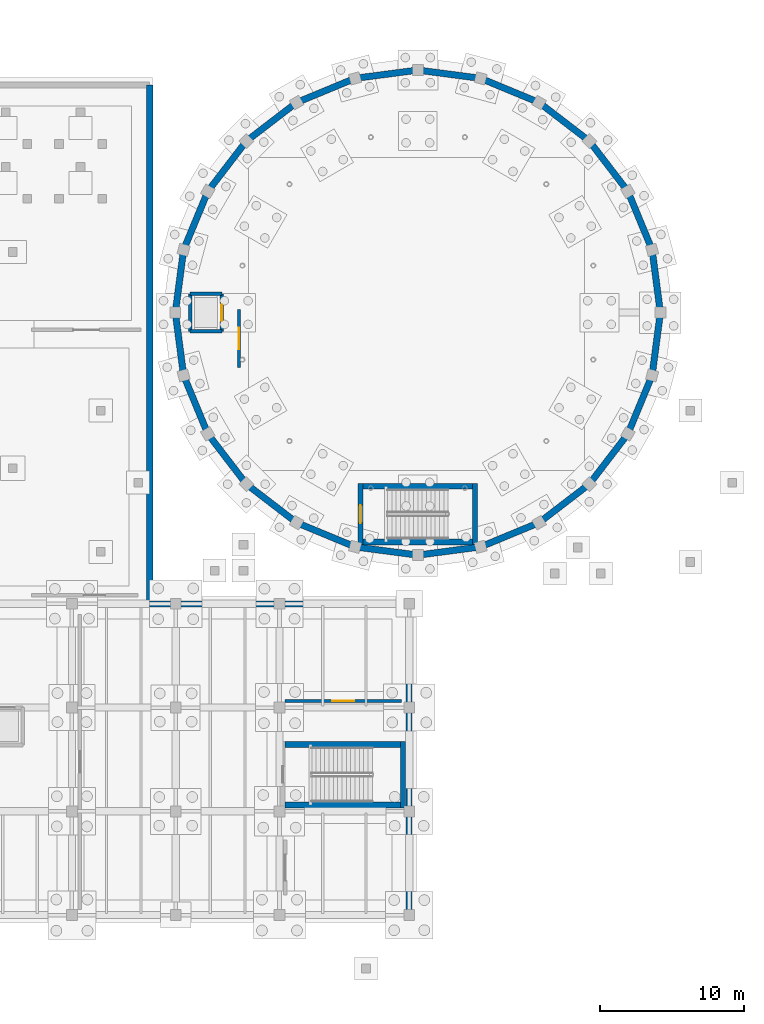
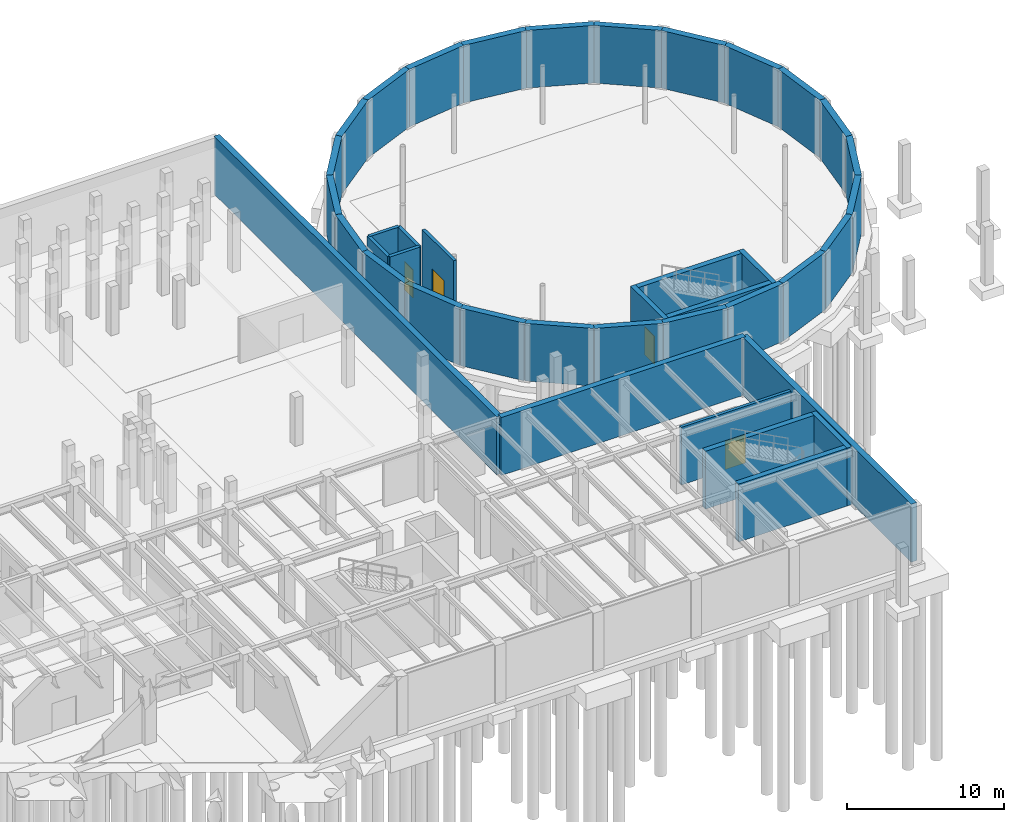
# One storey, part 16 of 26: 40 walls, 4 doors, 4 openings.
"""IFC4 building model written with IfcOpenShell, lengths in metres."""

from ifc_helpers import new_model, si_unit, direction, frame, frame_2d, origin, place, context, subcontext, project, spatial, rectangle, extrude, material, layer, layer_set, type_object, element, fill, save


model = new_model("IFC4")

# Units and contexts
model_context = context("Model", 3, precision=1e-05, world=origin(), true_north=direction((0.0, 1.0)))
body_context = subcontext(model_context, "Body", "Model", "MODEL_VIEW")
ifc_project = project(units=[si_unit("LENGTHUNIT", "METRE"), si_unit("AREAUNIT", "SQUARE_METRE"), si_unit("VOLUMEUNIT", "CUBIC_METRE"), si_unit("PLANEANGLEUNIT", "RADIAN"), si_unit("MASSUNIT", "GRAM", prefix="KILO")], contexts=[model_context])

# Site, building, storey
site_placement = place(None, origin())
site = spatial("IfcSite", under=ifc_project, at=site_placement, CompositionType="ELEMENT")
building_placement = place(site_placement, origin())
building = spatial("IfcBuilding", under=site, at=building_placement, Name="Kandorven Conservatory and Botanical Research Centre", CompositionType="ELEMENT")
storey_placement = place(building_placement, frame((0.0, 0.0, -4.800048828125)))
storey = spatial("IfcBuildingStorey", under=building, at=storey_placement, Name="B01", CompositionType="ELEMENT", Elevation=-4.800048828125)

# Walls
ifc_material_1 = material(Name="Concrete C40/50 (M50)", Category="concrete")
ifc_layer_1 = layer(ifc_material_1, 0.39990234375)
ifc_layer_set_1 = layer_set([ifc_layer_1], Name="Concrete C40/50 (M50)")
wall_type_1 = type_object("IfcWallType", Name="Wall_CW-RC-1", PredefinedType="SHEAR", material=ifc_layer_set_1)
for number, where, z_axis, x_axis, name in (
    (1, (78.39990234375, 13.64501953125, 0.0), (0.0, 0.0, 1.0), (1.0, 0.0, 0.0), "Core stair shear wall CW-RC-1 ST-V3B B01 side A"),
    (2, (78.39990234375, 17.844970703125, 0.0), (0.0, 0.0, 1.0), (1.0, 0.0, 0.0), "Core stair shear wall CW-RC-1 ST-V3B B01 side B"),
):
    element("IfcWall", number, at=place(storey_placement, frame(where, z_axis=z_axis, x_axis=x_axis)), inside=storey, type_object=wall_type_1, Name=name, PredefinedType="SHEAR", context=body_context, shape_type="SweptSolid", body=[
        extrude(rectangle(XDim=7.97998046875, YDim=0.39990234375, at=frame_2d((3.989990234375, 0.0))), origin(), (0.0, 0.0, 1.0), 4.5),
    ])
for number, where, z_axis, x_axis, name in (
    (3, (83.800048828125, 31.89501953125, 0.0), (0.0, 0.0, 1.0), (1.0, 0.0, 0.0), "Core stair shear wall CW-RC-1 ST-V1 B01 side A"),
    (4, (83.800048828125, 35.7548828125, 0.0), (0.0, 0.0, 1.0), (1.0, 0.0, 0.0), "Core stair shear wall CW-RC-1 ST-V1 B01 side B"),
):
    element("IfcWall", number, at=place(storey_placement, frame(where, z_axis=z_axis, x_axis=x_axis)), inside=storey, type_object=wall_type_1, Name=name, PredefinedType="SHEAR", context=body_context, shape_type="SweptSolid", body=[
        extrude(rectangle(XDim=7.599853515625, YDim=0.39990234375, at=frame_2d((3.7998046875, 0.0))), origin(), (0.0, 0.0, 1.0), 4.47998046875),
    ])
ifc_material_2 = material(Name="Concrete C40/50 (M50)", Category="concrete")
ifc_layer_2 = layer(ifc_material_2, 0.35009765625)
ifc_layer_set_2 = layer_set([ifc_layer_2], Name="Concrete C40/50 (M50)")
wall_type_2 = type_object("IfcWallType", Name="Wall_CW-RC-2", PredefinedType="SHEAR", material=ifc_layer_set_2)
wall_1_placement = place(storey_placement, frame((86.554931640625, 13.449951171875, 0.0), z_axis=(0.0, 0.0, 1.0), x_axis=(0.0, 1.0, 0.0)))
element("IfcWall", 5, at=wall_1_placement, inside=storey, type_object=wall_type_2, Name="Core stair shear wall CW-RC-2 ST-V3B B01 far", PredefinedType="SHEAR", context=body_context, shape_type="SweptSolid", body=[
    extrude(rectangle(XDim=4.590087890625, YDim=0.35009765625, at=frame_2d((2.294921875, 0.0))), origin(), (0.0, 0.0, 1.0), 4.5),
])

# Wall, opening, door
wall_2_placement = place(storey_placement, frame((83.625, 31.699951171875, 0.0), z_axis=(0.0, 0.0, 1.0), x_axis=(0.0, 1.0, 0.0)))
wall_2 = element("IfcWall", 6, at=wall_2_placement, inside=storey, type_object=wall_type_2, Name="Core stair shear wall CW-RC-2 ST-V1 B01 entry", PredefinedType="SHEAR", context=body_context, shape_type="SweptSolid", body=[
    extrude(rectangle(XDim=4.25, YDim=0.35009765625, at=frame_2d((2.125, 0.0))), origin(), (0.0, 0.0, 1.0), 4.47998046875),
])
opening_1_placement = place(wall_2_placement, frame((1.5, 0.0, 0.0)))
opening_1 = element("IfcOpeningElement", 7, at=opening_1_placement, cuts=wall_2, Name="Opening FD-1", PredefinedType="OPENING", context=body_context, shape_type="SweptSolid", body=[
    extrude(rectangle(XDim=1.25, YDim=2.199951171875, at=frame_2d((0.625, 1.10009765625))), frame((0.0, 0.18505859375, 0.0), z_axis=(0.0, -1.0, 0.0), x_axis=(1.0, 0.0, 0.0)), (0.0, 0.0, 1.0), 0.3701171875),
])
ifc_material_3 = material(Name="Galvanised hollow steel fire door assembly", Category="steel")
door_type_1 = type_object("IfcDoorType", Name="Door_FD-1", OperationType="NOTDEFINED", PredefinedType="DOOR", material=ifc_material_3)
door_1_placement = place(opening_1_placement, origin())
door_1 = element("IfcDoor", 8, at=door_1_placement, inside=storey, type_object=door_type_1, Name="Exit stair fire door FD-1 ST-V1 B01", OperationType="SINGLE_SWING_LEFT", OverallHeight=2.199951171875, OverallWidth=1.25, PredefinedType="DOOR", context=body_context, shape_type="SweptSolid", body=[
    extrude(rectangle(XDim=1.25, YDim=2.199951171875, at=frame_2d((0.625, 1.10009765625))), frame((0.0, 0.02490234375, 0.0), z_axis=(0.0, -1.0, 0.0), x_axis=(1.0, 0.0, 0.0)), (0.0, 0.0, 1.0), 0.050048828125),
])
fill(opening_1, door_1)

# Walls
wall_3_placement = place(storey_placement, frame((91.574951171875, 31.699951171875, 0.0), z_axis=(0.0, 0.0, 1.0), x_axis=(0.0, 1.0, 0.0)))
element("IfcWall", 9, at=wall_3_placement, inside=storey, type_object=wall_type_2, Name="Core stair shear wall CW-RC-2 ST-V1 B01 far", PredefinedType="SHEAR", context=body_context, shape_type="SweptSolid", body=[
    extrude(rectangle(XDim=4.25, YDim=0.35009765625, at=frame_2d((2.125, 0.0))), origin(), (0.0, 0.0, 1.0), 4.47998046875),
])
for number, where, z_axis, x_axis, name in (
    (10, (71.800048828125, 46.5, 0.0), (0.0, 0.0, 1.0), (1.0, 0.0, 0.0), "Lift shaft wall CL-1 B01 S"),
    (11, (71.800048828125, 49.10009765625, 0.0), (0.0, 0.0, 1.0), (1.0, 0.0, 0.0), "Lift shaft wall CL-1 B01 N"),
):
    element("IfcWall", number, at=place(storey_placement, frame(where, z_axis=z_axis, x_axis=x_axis)), inside=storey, type_object=wall_type_2, Name=name, PredefinedType="SHEAR", context=body_context, shape_type="SweptSolid", body=[
        extrude(rectangle(XDim=2.199951171875, YDim=0.25, at=frame_2d((1.10009765625, 0.0))), origin(), (0.0, 0.0, 1.0), 4.5),
    ])
wall_4_placement = place(storey_placement, frame((71.800048828125, 46.5, 0.0), z_axis=(0.0, 0.0, 1.0), x_axis=(0.0, 1.0, 0.0)))
element("IfcWall", 12, at=wall_4_placement, inside=storey, type_object=wall_type_2, Name="Lift shaft wall CL-1 B01 W", PredefinedType="SHEAR", context=body_context, shape_type="SweptSolid", body=[
    extrude(rectangle(XDim=2.60009765625, YDim=0.25, at=frame_2d((1.300048828125, 0.0))), origin(), (0.0, 0.0, 1.0), 4.5),
])

# Wall, opening, door
wall_5_placement = place(storey_placement, frame((74.0, 46.5, 0.0), z_axis=(0.0, 0.0, 1.0), x_axis=(0.0, 1.0, 0.0)))
wall_5 = element("IfcWall", 13, at=wall_5_placement, inside=storey, type_object=wall_type_2, Name="Lift shaft wall CL-1 B01 E", PredefinedType="SHEAR", context=body_context, shape_type="SweptSolid", body=[
    extrude(rectangle(XDim=2.60009765625, YDim=0.25, at=frame_2d((1.300048828125, 0.0))), origin(), (0.0, 0.0, 1.0), 4.5),
])
opening_2_placement = place(wall_5_placement, frame((0.75, 0.0, 0.0)))
opening_2 = element("IfcOpeningElement", 14, at=opening_2_placement, cuts=wall_5, Name="Opening LD-01", PredefinedType="OPENING", context=body_context, shape_type="SweptSolid", body=[
    extrude(rectangle(XDim=1.10009765625, YDim=2.199951171875, at=frame_2d((0.550048828125, 1.10009765625))), frame((0.0, 0.135009765625, 0.0), z_axis=(0.0, -1.0, 0.0), x_axis=(1.0, 0.0, 0.0)), (0.0, 0.0, 1.0), 0.27001953125),
])
ifc_material_4 = material(Name="Anodised aluminium sliding landing door", Category="aluminium")
door_type_2 = type_object("IfcDoorType", Name="Door_LD-01", OperationType="DOUBLE_DOOR_SLIDING", PredefinedType="DOOR", material=ifc_material_4)
door_2_placement = place(opening_2_placement, origin())
door_2 = element("IfcDoor", 15, at=door_2_placement, inside=storey, type_object=door_type_2, Name="Lift landing sliding door LD-01 (CL-1 B01)", OperationType="DOUBLE_DOOR_SLIDING", OverallHeight=2.199951171875, OverallWidth=1.10009765625, PredefinedType="DOOR", context=body_context, shape_type="SweptSolid", body=[
    extrude(rectangle(XDim=1.10009765625, YDim=2.199951171875, at=frame_2d((0.550048828125, 1.10009765625))), frame((0.0, 0.02490234375, 0.0), z_axis=(0.0, -1.0, 0.0), x_axis=(1.0, 0.0, 0.0)), (0.0, 0.0, 1.0), 0.050048828125),
])
fill(opening_2, door_2)

ifc_material_5 = material(Name="Concrete C32/40 (M40)", Category="concrete")
ifc_layer_3 = layer(ifc_material_5, 0.22509765625)
ifc_layer_set_3 = layer_set([ifc_layer_3], Name="Concrete C32/40 (M40)")
wall_type_3 = type_object("IfcWallType", Name="Wall_IW-FR-2", PredefinedType="SOLIDWALL", material=ifc_layer_set_3)
wall_6_placement = place(storey_placement, frame((78.39990234375, 20.85009765625, 0.0), z_axis=(0.0, 0.0, 1.0), x_axis=(1.0, 0.0, 0.0)))
wall_6 = element("IfcWall", 16, at=wall_6_placement, inside=storey, type_object=wall_type_3, Name="Interior fire partition wall IW-FR-2 (Botanical Field Equipment and Herbarium Crate Store)", PredefinedType="SOLIDWALL", context=body_context, shape_type="SweptSolid", body=[
    extrude(rectangle(XDim=8.050048828125, YDim=0.22509765625, at=frame_2d((4.02490234375, 0.0))), origin(), (0.0, 0.0, 1.0), 4.47998046875),
])
opening_3_placement = place(wall_6_placement, frame((3.27490234375, 0.0, 0.0)))
opening_3 = element("IfcOpeningElement", 17, at=opening_3_placement, cuts=wall_6, Name="Opening FD-3", PredefinedType="OPENING", context=body_context, shape_type="SweptSolid", body=[
    extrude(rectangle(XDim=1.5, YDim=2.199951171875, at=frame_2d((0.75, 1.10009765625))), frame((0.0, 0.12255859375, 0.0), z_axis=(0.0, -1.0, 0.0), x_axis=(1.0, 0.0, 0.0)), (0.0, 0.0, 1.0), 0.2451171875),
])
ifc_material_6 = material(Name="Galvanised hollow steel fire door assembly", Category="steel")
door_type_3 = type_object("IfcDoorType", Name="Door_FD-3", OperationType="NOTDEFINED", PredefinedType="DOOR", material=ifc_material_6)
door_3_placement = place(opening_3_placement, origin())
door_3 = element("IfcDoor", 18, at=door_3_placement, inside=storey, type_object=door_type_3, Name="Interior door FD-3 to Botanical Field Equipment and Herbarium Crate Store", OperationType="SINGLE_SWING_LEFT", OverallHeight=2.199951171875, OverallWidth=1.5, PredefinedType="DOOR", context=body_context, shape_type="SweptSolid", body=[
    extrude(rectangle(XDim=1.5, YDim=2.199951171875, at=frame_2d((0.75, 1.10009765625))), frame((0.0, 0.02490234375, 0.0), z_axis=(0.0, -1.0, 0.0), x_axis=(1.0, 0.0, 0.0)), (0.0, 0.0, 1.0), 0.050048828125),
])
fill(opening_3, door_3)

wall_7_placement = place(storey_placement, frame((75.199951171875, 44.0, 0.0), z_axis=(0.0, 0.0, 1.0), x_axis=(0.0, 1.0, 0.0)))
wall_7 = element("IfcWall", 19, at=wall_7_placement, inside=storey, type_object=wall_type_3, Name="Interior fire partition wall IW-FR-2 (Monsoon Rainwater Harvesting Cistern and Filtration Plant)", PredefinedType="SOLIDWALL", context=body_context, shape_type="SweptSolid", body=[
    extrude(rectangle(XDim=4.0, YDim=0.22509765625, at=frame_2d((2.0, 0.0))), origin(), (0.0, 0.0, 1.0), 4.47998046875),
])
opening_4_placement = place(wall_7_placement, frame((1.25, 0.0, 0.0)))
opening_4 = element("IfcOpeningElement", 20, at=opening_4_placement, cuts=wall_7, Name="Opening FD-3", PredefinedType="OPENING", context=body_context, shape_type="SweptSolid", body=[
    extrude(rectangle(XDim=1.5, YDim=2.199951171875, at=frame_2d((0.75, 1.10009765625))), frame((0.0, 0.12255859375, 0.0), z_axis=(0.0, -1.0, 0.0), x_axis=(1.0, 0.0, 0.0)), (0.0, 0.0, 1.0), 0.2451171875),
])
door_4_placement = place(opening_4_placement, origin())
door_4 = element("IfcDoor", 21, at=door_4_placement, inside=storey, type_object=door_type_3, Name="Interior door FD-3 to Monsoon Rainwater Harvesting Cistern and Filtration Plant", OperationType="SINGLE_SWING_LEFT", OverallHeight=2.199951171875, OverallWidth=1.5, PredefinedType="DOOR", context=body_context, shape_type="SweptSolid", body=[
    extrude(rectangle(XDim=1.5, YDim=2.199951171875, at=frame_2d((0.75, 1.10009765625))), frame((0.0, 0.02490234375, 0.0), z_axis=(0.0, -1.0, 0.0), x_axis=(1.0, 0.0, 0.0)), (0.0, 0.0, 1.0), 0.050048828125),
])
fill(opening_4, door_4)

# Walls
ifc_material_7 = material(Name="Concrete C32/40 (M40)", Category="concrete")
ifc_layer_4 = layer(ifc_material_7, 0.449951171875)
ifc_layer_set_4 = layer_set([ifc_layer_4], Name="Concrete C32/40 (M40)")
wall_type_4 = type_object("IfcWallType", Name="Wall_RW-01", PredefinedType="USERDEFINED", material=ifc_layer_set_4)
wall_8_placement = place(storey_placement, frame((104.425048828125, 47.800048828125, 0.0), z_axis=(0.0, 0.0, 1.0), x_axis=(-0.130517780591, 0.991445968749, 0.0)))
element("IfcWall", 22, at=wall_8_placement, inside=storey, type_object=wall_type_4, Name="Basement conservatory retaining wall RW-01 S01", ObjectType="RETAININGWALL", PredefinedType="USERDEFINED", context=body_context, shape_type="SweptSolid", body=[
    extrude(rectangle(XDim=4.39208984375, YDim=0.449951171875, at=frame_2d((2.196044921875, 0.0))), origin(), (0.0, 0.0, 1.0), 4.47998046875),
])
for number, where, z_axis, x_axis, name in (
    (23, (103.851806640625, 52.154541015625, 0.0), (0.0, 0.0, 1.0), (-0.382700340551, 0.92387252873, 0.0), "Basement conservatory retaining wall RW-01 S02"),
    (24, (102.1708984375, 56.21240234375, 0.0), (0.0, 0.0, 1.0), (-0.608759396381, 0.793354899977, 0.0), "Basement conservatory retaining wall RW-01 S03"),
    (25, (99.4970703125, 59.697021484375, 0.0), (0.0, 0.0, 1.0), (-0.793354899977, 0.608759396381, 0.0), "Basement conservatory retaining wall RW-01 S04"),
    (26, (96.012451171875, 62.370849609375, 0.0), (0.0, 0.0, 1.0), (-0.92387252873, 0.382700340551, 0.0), "Basement conservatory retaining wall RW-01 S05"),
):
    element("IfcWall", number, at=place(storey_placement, frame(where, z_axis=z_axis, x_axis=x_axis)), inside=storey, type_object=wall_type_4, Name=name, ObjectType="RETAININGWALL", PredefinedType="USERDEFINED", context=body_context, shape_type="SweptSolid", body=[
        extrude(rectangle(XDim=4.392333984375, YDim=0.449951171875, at=frame_2d((2.1962890625, 0.0))), origin(), (0.0, 0.0, 1.0), 4.47998046875),
    ])
wall_9_placement = place(storey_placement, frame((91.95458984375, 64.0517578125, 0.0), z_axis=(0.0, 0.0, 1.0), x_axis=(-0.991445968749, 0.130517780591, 0.0)))
element("IfcWall", 27, at=wall_9_placement, inside=storey, type_object=wall_type_4, Name="Basement conservatory retaining wall RW-01 S06", ObjectType="RETAININGWALL", PredefinedType="USERDEFINED", context=body_context, shape_type="SweptSolid", body=[
    extrude(rectangle(XDim=4.39208984375, YDim=0.449951171875, at=frame_2d((2.196044921875, 0.0))), origin(), (0.0, 0.0, 1.0), 4.47998046875),
])
for number, where, z_axis, x_axis, name in (
    (28, (87.60009765625, 64.625, 0.0), (0.0, 0.0, 1.0), (-0.991446915586, -0.13051058798, 0.0), "Basement conservatory retaining wall RW-01 S07"),
    (29, (83.245361328125, 64.0517578125, 0.0), (0.0, 0.0, 1.0), (-0.92387252873, -0.382700340551, 0.0), "Basement conservatory retaining wall RW-01 S08"),
    (30, (79.1875, 62.370849609375, 0.0), (0.0, 0.0, 1.0), (-0.793354899977, -0.608759396381, 0.0), "Basement conservatory retaining wall RW-01 S09"),
    (31, (75.702880859375, 59.697021484375, 0.0), (0.0, 0.0, 1.0), (-0.608759396381, -0.793354899977, 0.0), "Basement conservatory retaining wall RW-01 S10"),
):
    element("IfcWall", number, at=place(storey_placement, frame(where, z_axis=z_axis, x_axis=x_axis)), inside=storey, type_object=wall_type_4, Name=name, ObjectType="RETAININGWALL", PredefinedType="USERDEFINED", context=body_context, shape_type="SweptSolid", body=[
        extrude(rectangle(XDim=4.392333984375, YDim=0.449951171875, at=frame_2d((2.1962890625, 0.0))), origin(), (0.0, 0.0, 1.0), 4.47998046875),
    ])
for number, where, z_axis, x_axis, name in (
    (32, (73.029052734375, 56.21240234375, 0.0), (0.0, 0.0, 1.0), (-0.382652895287, -0.923892180792, 0.0), "Basement conservatory retaining wall RW-01 S11"),
    (33, (71.348388671875, 52.154541015625, 0.0), (0.0, 0.0, 1.0), (-0.130572419871, -0.991438774292, 0.0), "Basement conservatory retaining wall RW-01 S12"),
):
    element("IfcWall", number, at=place(storey_placement, frame(where, z_axis=z_axis, x_axis=x_axis)), inside=storey, type_object=wall_type_4, Name=name, ObjectType="RETAININGWALL", PredefinedType="USERDEFINED", context=body_context, shape_type="SweptSolid", body=[
        extrude(rectangle(XDim=4.39208984375, YDim=0.449951171875, at=frame_2d((2.196044921875, 0.0))), origin(), (0.0, 0.0, 1.0), 4.47998046875),
    ])
wall_10_placement = place(storey_placement, frame((70.77490234375, 47.800048828125, 0.0), z_axis=(0.0, 0.0, 1.0), x_axis=(0.130565224353, -0.991439721914, 0.0)))
element("IfcWall", 34, at=wall_10_placement, inside=storey, type_object=wall_type_4, Name="Basement conservatory retaining wall RW-01 S13", ObjectType="RETAININGWALL", PredefinedType="USERDEFINED", context=body_context, shape_type="SweptSolid", body=[
    extrude(rectangle(XDim=4.392333984375, YDim=0.449951171875, at=frame_2d((2.1962890625, 0.0))), origin(), (0.0, 0.0, 1.0), 4.47998046875),
])
wall_11_placement = place(storey_placement, frame((71.348388671875, 43.4453125, 0.0), z_axis=(0.0, 0.0, 1.0), x_axis=(0.382652895287, -0.923892180792, 0.0)))
element("IfcWall", 35, at=wall_11_placement, inside=storey, type_object=wall_type_4, Name="Basement conservatory retaining wall RW-01 S14", ObjectType="RETAININGWALL", PredefinedType="USERDEFINED", context=body_context, shape_type="SweptSolid", body=[
    extrude(rectangle(XDim=4.39208984375, YDim=0.449951171875, at=frame_2d((2.196044921875, 0.0))), origin(), (0.0, 0.0, 1.0), 4.47998046875),
])
for number, where, z_axis, x_axis, name in (
    (36, (73.029052734375, 39.387451171875, 0.0), (0.0, 0.0, 1.0), (0.608759396381, -0.793354899977, 0.0), "Basement conservatory retaining wall RW-01 S15"),
    (37, (75.702880859375, 35.90283203125, 0.0), (0.0, 0.0, 1.0), (0.793354899977, -0.608759396381, 0.0), "Basement conservatory retaining wall RW-01 S16"),
):
    element("IfcWall", number, at=place(storey_placement, frame(where, z_axis=z_axis, x_axis=x_axis)), inside=storey, type_object=wall_type_4, Name=name, ObjectType="RETAININGWALL", PredefinedType="USERDEFINED", context=body_context, shape_type="SweptSolid", body=[
        extrude(rectangle(XDim=4.392333984375, YDim=0.449951171875, at=frame_2d((2.1962890625, 0.0))), origin(), (0.0, 0.0, 1.0), 4.47998046875),
    ])
wall_12_placement = place(storey_placement, frame((79.1875, 33.22900390625, 0.0), z_axis=(0.0, 0.0, 1.0), x_axis=(0.923892180792, -0.382652895287, 0.0)))
element("IfcWall", 38, at=wall_12_placement, inside=storey, type_object=wall_type_4, Name="Basement conservatory retaining wall RW-01 S17", ObjectType="RETAININGWALL", PredefinedType="USERDEFINED", context=body_context, shape_type="SweptSolid", body=[
    extrude(rectangle(XDim=4.39208984375, YDim=0.449951171875, at=frame_2d((2.196044921875, 0.0))), origin(), (0.0, 0.0, 1.0), 4.47998046875),
])
wall_13_placement = place(storey_placement, frame((83.245361328125, 31.54833984375, 0.0), z_axis=(0.0, 0.0, 1.0), x_axis=(0.991446915586, -0.13051058798, 0.0)))
element("IfcWall", 39, at=wall_13_placement, inside=storey, type_object=wall_type_4, Name="Basement conservatory retaining wall RW-01 S18", ObjectType="RETAININGWALL", PredefinedType="USERDEFINED", context=body_context, shape_type="SweptSolid", body=[
    extrude(rectangle(XDim=4.392333984375, YDim=0.449951171875, at=frame_2d((2.1962890625, 0.0))), origin(), (0.0, 0.0, 1.0), 4.47998046875),
])
for number, where, z_axis, x_axis, name in (
    (40, (87.60009765625, 30.97509765625, 0.0), (0.0, 0.0, 1.0), (0.991445968749, 0.130517780591, 0.0), "Basement conservatory retaining wall RW-01 S19"),
    (41, (91.95458984375, 31.54833984375, 0.0), (0.0, 0.0, 1.0), (0.923892180792, 0.382652895287, 0.0), "Basement conservatory retaining wall RW-01 S20"),
):
    element("IfcWall", number, at=place(storey_placement, frame(where, z_axis=z_axis, x_axis=x_axis)), inside=storey, type_object=wall_type_4, Name=name, ObjectType="RETAININGWALL", PredefinedType="USERDEFINED", context=body_context, shape_type="SweptSolid", body=[
        extrude(rectangle(XDim=4.39208984375, YDim=0.449951171875, at=frame_2d((2.196044921875, 0.0))), origin(), (0.0, 0.0, 1.0), 4.47998046875),
    ])
for number, where, z_axis, x_axis, name in (
    (42, (96.012451171875, 33.22900390625, 0.0), (0.0, 0.0, 1.0), (0.793354899977, 0.608759396381, 0.0), "Basement conservatory retaining wall RW-01 S21"),
    (43, (99.4970703125, 35.90283203125, 0.0), (0.0, 0.0, 1.0), (0.608759396381, 0.793354899977, 0.0), "Basement conservatory retaining wall RW-01 S22"),
    (44, (102.1708984375, 39.387451171875, 0.0), (0.0, 0.0, 1.0), (0.382700340551, 0.92387252873, 0.0), "Basement conservatory retaining wall RW-01 S23"),
    (45, (103.851806640625, 43.4453125, 0.0), (0.0, 0.0, 1.0), (0.13051058798, 0.991446915586, 0.0), "Basement conservatory retaining wall RW-01 S24"),
):
    element("IfcWall", number, at=place(storey_placement, frame(where, z_axis=z_axis, x_axis=x_axis)), inside=storey, type_object=wall_type_4, Name=name, ObjectType="RETAININGWALL", PredefinedType="USERDEFINED", context=body_context, shape_type="SweptSolid", body=[
        extrude(rectangle(XDim=4.392333984375, YDim=0.449951171875, at=frame_2d((2.1962890625, 0.0))), origin(), (0.0, 0.0, 1.0), 4.47998046875),
    ])
ifc_material_8 = material(Name="Concrete C32/40 (M40)", Category="concrete")
ifc_layer_5 = layer(ifc_material_8, 0.419921875)
ifc_layer_set_5 = layer_set([ifc_layer_5], Name="Concrete C32/40 (M40)")
wall_type_5 = type_object("IfcWallType", Name="Wall_RW-02", PredefinedType="USERDEFINED", material=ifc_layer_set_5)
wall_14_placement = place(storey_placement, frame((87.0, 6.0, 0.0), z_axis=(0.0, 0.0, 1.0), x_axis=(0.0, 1.0, 0.0)))
element("IfcWall", 46, at=wall_14_placement, inside=storey, type_object=wall_type_5, Name="Basement retaining wall RW-02 (420 mm) E1", ObjectType="RETAININGWALL", PredefinedType="USERDEFINED", context=body_context, shape_type="SweptSolid", body=[
    extrude(rectangle(XDim=21.60009765625, YDim=0.419921875, at=frame_2d((10.800048828125, 0.0))), origin(), (0.0, 0.0, 1.0), 4.5),
])
wall_15_placement = place(storey_placement, frame((87.0, 27.60009765625, 0.0), z_axis=(0.0, 0.0, 1.0), x_axis=(-1.0, 0.0, 0.0)))
element("IfcWall", 47, at=wall_15_placement, inside=storey, type_object=wall_type_5, Name="Basement retaining wall RW-02 (420 mm) N1B", ObjectType="RETAININGWALL", PredefinedType="USERDEFINED", context=body_context, shape_type="SweptSolid", body=[
    extrude(rectangle(XDim=18.0, YDim=0.419921875, at=frame_2d((9.0, 0.0))), origin(), (0.0, 0.0, 1.0), 4.5),
])
wall_16_placement = place(storey_placement, frame((69.0, 27.60009765625, 0.0), z_axis=(0.0, 0.0, 1.0), x_axis=(0.0, 1.0, 0.0)))
element("IfcWall", 48, at=wall_16_placement, inside=storey, type_object=wall_type_5, Name="Basement retaining wall RW-02 (420 mm) E2", ObjectType="RETAININGWALL", PredefinedType="USERDEFINED", context=body_context, shape_type="SweptSolid", body=[
    extrude(rectangle(XDim=36.0, YDim=0.419921875, at=frame_2d((18.0, 0.0))), origin(), (0.0, 0.0, 1.0), 4.5),
])

save(model, "model.ifc")
